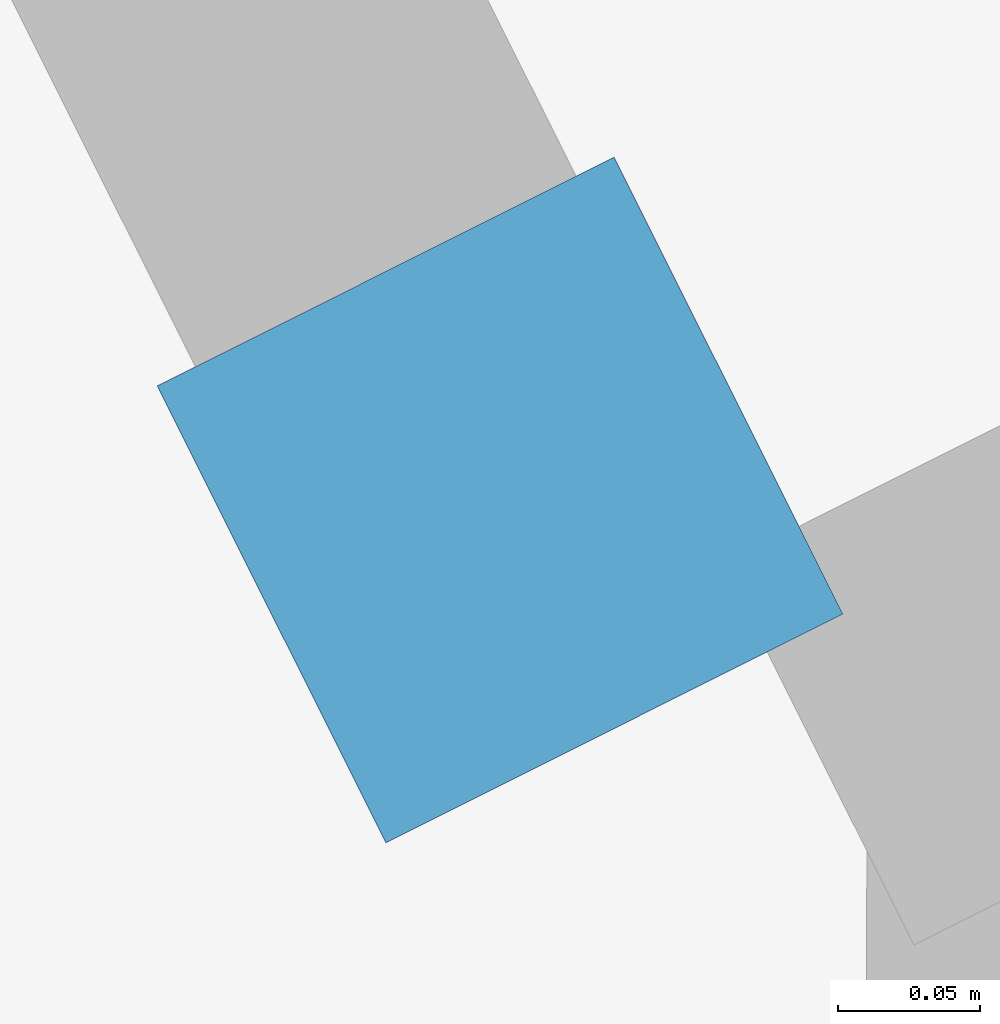
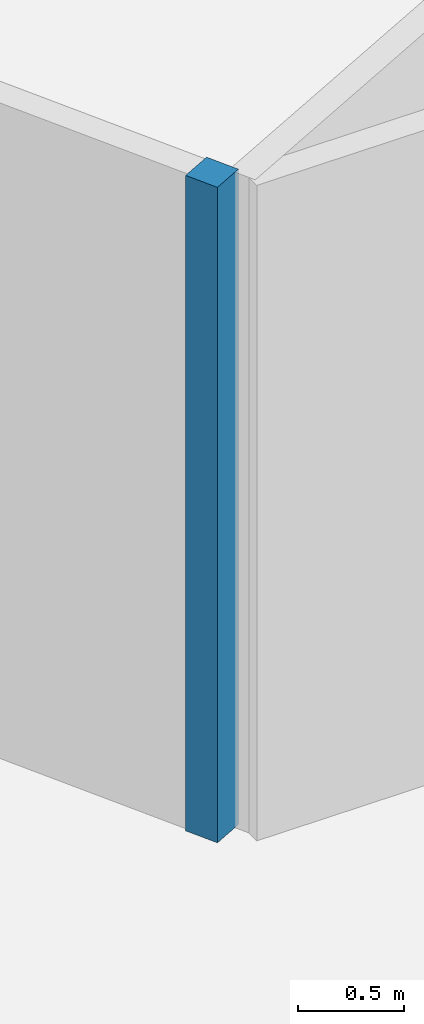
# One storey, part 3 of 16: 1 plate.
"""IFC4 building model written with IfcOpenShell, lengths in metres."""

from ifc_helpers import new_model, si_unit, direction, frame, origin, origin_2d, place, context, subcontext, project, spatial, rectangle, extrude, material, layer, layer_set, type_object, element, save


model = new_model("IFC4")

# Units and contexts
model_context = context("Model", 3, precision=1e-05, world=origin(), true_north=direction((0.0, 1.0)))
body_context = subcontext(model_context, "Body", "Model", "MODEL_VIEW")
ifc_project = project(units=[si_unit("LENGTHUNIT", "METRE"), si_unit("AREAUNIT", "SQUARE_METRE"), si_unit("VOLUMEUNIT", "CUBIC_METRE"), si_unit("PLANEANGLEUNIT", "RADIAN"), si_unit("MASSUNIT", "GRAM", prefix="KILO")], contexts=[model_context])

# Site, building, storey
site_placement = place(None, origin())
site = spatial("IfcSite", under=ifc_project, at=site_placement, CompositionType="ELEMENT")
building_placement = place(site_placement, origin())
building = spatial("IfcBuilding", under=site, at=building_placement, Name="Gaonmaruhae Medical Tower", CompositionType="ELEMENT")
storey_placement = place(building_placement, frame((0.0, 0.0, 136.39990234375)))
storey = spatial("IfcBuildingStorey", under=building, at=storey_placement, Name="L32", CompositionType="ELEMENT", Elevation=136.39990234375)

# Plate
ifc_material = material(Name="Anodised aluminium 6063-T6", Category="aluminium")
ifc_layer = layer(ifc_material, 0.011962890625)
ifc_layer_set = layer_set([ifc_layer], Name="Anodised aluminium 6063-T6")
plate_type = type_object("IfcPlateType", Name="PP-01 Interior Partition Corner Stiffener Plate", PredefinedType="SHEET", material=ifc_layer_set)
plate_placement = place(storey_placement, frame((20.552734375, 20.70458984375, 0.0), z_axis=(0.0, 0.0, 1.0), x_axis=(-0.447837115811, 0.894115159083, 0.0)))
element("IfcPlate", 1, at=plate_placement, inside=storey, type_object=plate_type, Name="L32 Partition End Jamb Post Plate PLT-L32-ENDP-PW085-0", PredefinedType="SHEET", context=body_context, shape_type="SweptSolid", body=[
    extrude(rectangle(XDim=0.179931640625, YDim=0.179931640625, at=origin_2d()), origin(), (0.0, 0.0, 1.0), 3.780029296875),
])

save(model, "model.ifc")
